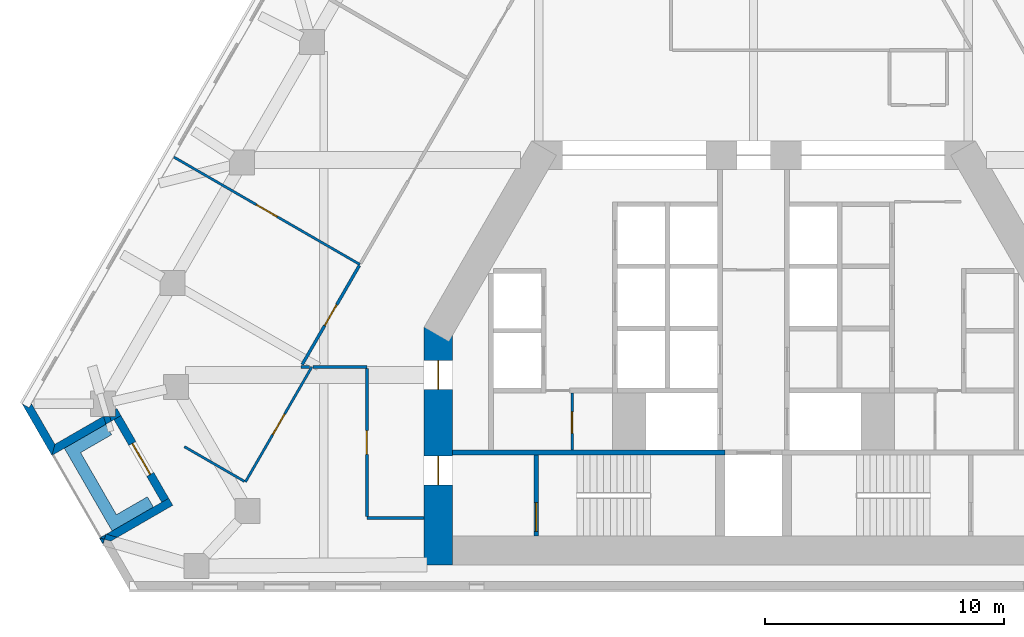
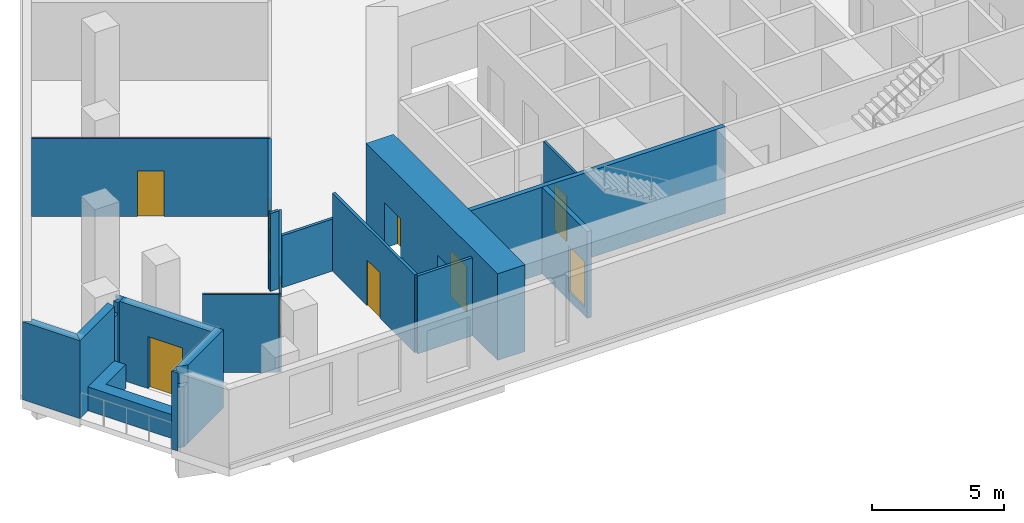
# One storey, part 3 of 9: 22 walls, 9 doors, 9 openings.
"""IFC4 building model written with IfcOpenShell, lengths in metres."""

from ifc_helpers import new_model, si_unit, direction, frame, frame_2d, origin, place, context, subcontext, project, spatial, polyline, rectangle, outline, extrude, material, layer, layer_set, type_object, element, fill, save


model = new_model("IFC4")

# Units and contexts
model_context = context("Model", 3, precision=1e-05, world=origin(), true_north=direction((0.0, 1.0)))
body_context = subcontext(model_context, "Body", "Model", "MODEL_VIEW")
ifc_project = project(units=[si_unit("LENGTHUNIT", "METRE"), si_unit("AREAUNIT", "SQUARE_METRE"), si_unit("VOLUMEUNIT", "CUBIC_METRE"), si_unit("PLANEANGLEUNIT", "RADIAN"), si_unit("MASSUNIT", "GRAM", prefix="KILO")], contexts=[model_context])

# Site, building, storey
site_placement = place(None, origin())
site = spatial("IfcSite", under=ifc_project, at=site_placement, CompositionType="ELEMENT")
building_placement = place(site_placement, origin())
building = spatial("IfcBuilding", under=site, at=building_placement, Name="Fogline Exchange Tower", CompositionType="ELEMENT")
storey_placement = place(building_placement, frame((0.0, 0.0, 104.10009765625)))
storey = spatial("IfcBuildingStorey", under=building, at=storey_placement, Name="L22", CompositionType="ELEMENT", Elevation=104.10009765625)

# Wall, opening, door
ifc_material_1 = material(Name="Blockwork partition", Category="masonry")
ifc_layer_1 = layer(ifc_material_1, 0.10009765625)
ifc_layer_set_1 = layer_set([ifc_layer_1], Name="CW10")
wall_type_1 = type_object("IfcWallType", Name="CW10", PredefinedType="PARTITIONING", material=ifc_layer_set_1)
wall_1_placement = place(storey_placement, frame((-7.60009765625, 5.85009765625, 0.0), z_axis=(0.0, 0.0, 1.0), x_axis=(0.0, 1.0, 0.0)))
wall_1 = element("IfcWall", 1, at=wall_1_placement, inside=storey, type_object=wall_type_1, Name="WC partition", PredefinedType="PARTITIONING", context=body_context, shape_type="SweptSolid", body=[
    extrude(rectangle(XDim=2.39990234375, YDim=0.10009765625, at=frame_2d((1.199951171875, 0.0))), origin(), (0.0, 0.0, 1.0), 3.599853515625),
])
opening_1_placement = place(wall_1_placement, frame((0.699951171875, 0.0, 0.0)))
opening_1 = element("IfcOpeningElement", 2, at=opening_1_placement, cuts=wall_1, Name="Opening T06-C008", PredefinedType="OPENING", context=body_context, shape_type="SweptSolid", body=[
    extrude(rectangle(XDim=0.89990234375, YDim=2.10009765625, at=frame_2d((0.449951171875, 1.050048828125))), frame((0.0, 0.06005859375, 0.0), z_axis=(0.0, -1.0, 0.0), x_axis=(1.0, 0.0, 0.0)), (0.0, 0.0, 1.0), 0.1201171875),
])
ifc_material_2 = material(Name="Steel and timber fire door", Category="steel")
door_type_1 = type_object("IfcDoorType", Name="D-CS1", OperationType="SINGLE_SWING_RIGHT", PredefinedType="DOOR", material=ifc_material_2)
door_1_placement = place(opening_1_placement, frame((0.89990234375, 0.0, 0.0), z_axis=(0.0, 0.0, 1.0), x_axis=(-1.0, 0.0, 0.0)))
door_1 = element("IfcDoor", 3, at=door_1_placement, inside=storey, type_object=door_type_1, Name="Door to Cleaner's Store", OperationType="SINGLE_SWING_RIGHT", OverallHeight=2.10009765625, OverallWidth=0.89990234375, PredefinedType="DOOR", context=body_context, shape_type="SweptSolid", body=[
    extrude(rectangle(XDim=0.89990234375, YDim=2.10009765625, at=frame_2d((0.449951171875, 1.050048828125))), frame((0.0, 0.02490234375, 0.0), z_axis=(0.0, -1.0, 0.0), x_axis=(1.0, 0.0, 0.0)), (0.0, 0.0, 1.0), 0.050048828125),
])
fill(opening_1, door_1)

# Wall
ifc_material_3 = material(Name="Concrete C40", Category="concrete")
ifc_layer_2 = layer(ifc_material_3, 0.199951171875)
ifc_layer_set_2 = layer_set([ifc_layer_2], Name="CW20R")
wall_type_2 = type_object("IfcWallType", Name="CW20R", PredefinedType="SOLIDWALL", material=ifc_layer_set_2)
wall_2_placement = place(storey_placement, frame((-12.60009765625, 5.75, -0.400146484375), z_axis=(0.0, 0.0, 1.0), x_axis=(1.0, 0.0, 0.0)))
element("IfcWall", 4, at=wall_2_placement, inside=storey, type_object=wall_type_2, Name="Stair enclosure wall", PredefinedType="SOLIDWALL", context=body_context, shape_type="SweptSolid", body=[
    extrude(rectangle(XDim=11.400146484375, YDim=0.199951171875, at=frame_2d((5.7001953125, 0.0))), origin(), (0.0, 0.0, 1.0), 4.0),
])

# Wall, opening, door
wall_3_placement = place(storey_placement, frame((-9.10009765625, 2.25, -0.400146484375), z_axis=(0.0, 0.0, 1.0), x_axis=(0.0, 1.0, 0.0)))
wall_3 = element("IfcWall", 5, at=wall_3_placement, inside=storey, type_object=wall_type_2, Name="Stair enclosure wall", PredefinedType="SOLIDWALL", context=body_context, shape_type="SweptSolid", body=[
    extrude(rectangle(XDim=3.39990234375, YDim=0.199951171875, at=frame_2d((1.699951171875, 0.0))), origin(), (0.0, 0.0, 1.0), 4.0),
])
opening_2_placement = place(wall_3_placement, frame((0.199951171875, 0.0, 0.39990234375)))
opening_2 = element("IfcOpeningElement", 6, at=opening_2_placement, cuts=wall_3, Name="Opening T06-C010", PredefinedType="OPENING", context=body_context, shape_type="SweptSolid", body=[
    extrude(rectangle(XDim=1.199951171875, YDim=2.10009765625, at=frame_2d((0.60009765625, 1.050048828125))), frame((0.0, 0.10986328125, 0.0), z_axis=(0.0, -1.0, 0.0), x_axis=(1.0, 0.0, 0.0)), (0.0, 0.0, 1.0), 0.219970703125),
])
door_type_2 = type_object("IfcDoorType", Name="D-ST1", OperationType="SINGLE_SWING_LEFT", PredefinedType="DOOR", material=ifc_material_2)
door_2_placement = place(opening_2_placement, frame((1.199951171875, 0.0, 0.0), z_axis=(0.0, 0.0, 1.0), x_axis=(-1.0, 0.0, 0.0)))
door_2 = element("IfcDoor", 7, at=door_2_placement, inside=storey, type_object=door_type_2, Name="Stair door ST1", OperationType="SINGLE_SWING_RIGHT", OverallHeight=2.10009765625, OverallWidth=1.199951171875, PredefinedType="DOOR", context=body_context, shape_type="SweptSolid", body=[
    extrude(rectangle(XDim=1.199951171875, YDim=2.10009765625, at=frame_2d((0.60009765625, 1.050048828125))), frame((0.0, 0.02490234375, 0.0), z_axis=(0.0, -1.0, 0.0), x_axis=(1.0, 0.0, 0.0)), (0.0, 0.0, 1.0), 0.050048828125),
])
fill(opening_2, door_2)

# Walls
ifc_material_4 = material(Name="Brick masonry", Category="masonry")
ifc_layer_3 = layer(ifc_material_4, 0.340087890625)
ifc_layer_set_3 = layer_set([ifc_layer_3], Name="FW1")
wall_type_3 = type_object("IfcWallType", Name="FW1", PredefinedType="SOLIDWALL", material=ifc_layer_set_3)
wall_4_placement = place(storey_placement, origin())
element("IfcWall", 8, at=wall_4_placement, inside=storey, type_object=wall_type_3, Name="Brick wall L22 SW-c1", PredefinedType="SOLIDWALL", context=body_context, shape_type="SweptSolid", body=[
    extrude(outline(polyline([(-29.387939453125, 5.6279296875), (-30.63916015625, 7.794921875), (-30.638671875, 7.79541015625), (-30.34375, 7.625), (-30.245361328125, 7.79541015625), (-29.262939453125, 6.09375), (-29.3876953125, 5.6279296875), (-29.387939453125, 5.6279296875)])), origin(), (0.0, 0.0, 1.0), 3.599853515625),
])
wall_5_placement = place(storey_placement, origin())
element("IfcWall", 9, at=wall_5_placement, inside=storey, type_object=wall_type_3, Name="Brick wall L22 SW-s1", PredefinedType="SOLIDWALL", context=body_context, shape_type="SweptSolid", body=[
    extrude(outline(polyline([(-26.966064453125, 7.269287109375), (-26.90576171875, 7.0615234375), (-27.128662109375, 6.932861328125), (-27.2265625, 7.269287109375), (-26.966064453125, 7.269287109375)])), origin(), (0.0, 0.0, 1.0), 3.099853515625),
])
wall_6_placement = place(storey_placement, origin())
element("IfcWall", 10, at=wall_6_placement, inside=storey, type_object=wall_type_3, Name="Brick wall L22 SW-s1", PredefinedType="SOLIDWALL", context=body_context, shape_type="SweptSolid", body=[
    extrude(outline(polyline([(-27.2265625, 7.269287109375), (-27.128662109375, 6.932861328125), (-29.388671875, 5.628173828125), (-29.388916015625, 5.62841796875), (-29.26416015625, 6.093994140625), (-27.228515625, 7.269287109375), (-27.2265625, 7.269287109375)])), origin(), (0.0, 0.0, 1.0), 3.599853515625),
])
wall_7_placement = place(storey_placement, origin())
element("IfcWall", 11, at=wall_7_placement, inside=storey, type_object=wall_type_3, Name="Brick wall L22 SW-s1", PredefinedType="SOLIDWALL", context=body_context, shape_type="SweptSolid", body=[
    extrude(outline(polyline([(-26.72412109375, 7.269287109375), (-26.72412109375, 7.560546875), (-26.665283203125, 7.594482421875), (-26.49462890625, 7.298828125), (-26.78955078125, 7.128662109375), (-26.90576171875, 7.0615234375), (-26.966064453125, 7.269287109375), (-26.72412109375, 7.269287109375)])), origin(), (0.0, 0.0, 1.0), 3.599853515625),
])

# Wall, opening, door
wall_8_placement = place(storey_placement, frame((-26.642822265625, 7.214111328125, 0.0), z_axis=(0.0, 0.0, 1.0), x_axis=(0.49999894854, -0.866026010844, 0.0)))
wall_8 = element("IfcWall", 12, at=wall_8_placement, inside=storey, type_object=wall_type_3, Name="Brick wall L22 SW-bk", PredefinedType="SOLIDWALL", context=body_context, shape_type="SweptSolid", body=[
    extrude(rectangle(XDim=4.0, YDim=0.340087890625, at=frame_2d((2.0, 0.0))), origin(), (0.0, 0.0, 1.0), 3.599853515625),
])
opening_3_placement = place(wall_8_placement, frame((1.25, 0.0, 0.0)))
opening_3 = element("IfcOpeningElement", 13, at=opening_3_placement, cuts=wall_8, Name="Opening T06-E021", PredefinedType="OPENING", context=body_context, shape_type="SweptSolid", body=[
    extrude(rectangle(XDim=1.5, YDim=2.39990234375, at=frame_2d((0.75, 1.199951171875))), frame((0.0, 0.18017578125, 0.0), z_axis=(0.0, -1.0, 0.0), x_axis=(1.0, 0.0, 0.0)), (0.0, 0.0, 1.0), 0.360107421875),
])
ifc_material_5 = material(Name="Aluminium and glass", Category="aluminium")
door_type_3 = type_object("IfcDoorType", Name="ED4", OperationType="SINGLE_SWING_LEFT", PredefinedType="DOOR", material=ifc_material_5)
door_3_placement = place(opening_3_placement, frame((1.5, 0.0, 0.0), z_axis=(0.0, 0.0, 1.0), x_axis=(-1.0, 0.0, 0.0)))
door_3 = element("IfcDoor", 14, at=door_3_placement, inside=storey, type_object=door_type_3, Name="Balcony door L22 SW", OperationType="DOUBLE_DOOR_SINGLE_SWING", OverallHeight=2.39990234375, OverallWidth=1.5, PredefinedType="DOOR", context=body_context, shape_type="SweptSolid", body=[
    extrude(rectangle(XDim=1.5, YDim=2.39990234375, at=frame_2d((0.75, 1.199951171875))), frame((0.0, 0.02490234375, 0.0), z_axis=(0.0, -1.0, 0.0), x_axis=(1.0, 0.0, 0.0)), (0.0, 0.0, 1.0), 0.050048828125),
])
fill(opening_3, door_3)

# Walls
wall_9_placement = place(storey_placement, origin())
element("IfcWall", 15, at=wall_9_placement, inside=storey, type_object=wall_type_3, Name="Brick wall L22 SW-s2", PredefinedType="SOLIDWALL", context=body_context, shape_type="SweptSolid", body=[
    extrude(outline(polyline([(-27.10400390625, 2.32958984375), (-26.646240234375, 2.199951171875), (-26.923583984375, 2.0400390625), (-27.1943359375, 2.112548828125), (-27.138427734375, 2.309814453125), (-27.10400390625, 2.32958984375)])), origin(), (0.0, 0.0, 1.0), 2.7998046875),
])
wall_10_placement = place(storey_placement, origin())
element("IfcWall", 16, at=wall_10_placement, inside=storey, type_object=wall_type_3, Name="Brick wall L22 SW-s2", PredefinedType="SOLIDWALL", context=body_context, shape_type="SweptSolid", body=[
    extrude(outline(polyline([(-27.138427734375, 2.309814453125), (-27.1943359375, 2.112548828125), (-27.38916015625, 2.164794921875), (-27.38916015625, 2.1650390625), (-27.138427734375, 2.309814453125)])), origin(), (0.0, 0.0, 1.0), 3.599853515625),
])
wall_11_placement = place(storey_placement, origin())
element("IfcWall", 17, at=wall_11_placement, inside=storey, type_object=wall_type_3, Name="Brick wall L22 SW-s2", PredefinedType="SOLIDWALL", context=body_context, shape_type="SweptSolid", body=[
    extrude(outline(polyline([(-24.790283203125, 3.66552734375), (-24.495361328125, 3.8359375), (-24.32470703125, 3.540283203125), (-26.646240234375, 2.199951171875), (-27.10400390625, 2.32958984375), (-24.790283203125, 3.66552734375)])), origin(), (0.0, 0.0, 1.0), 3.599853515625),
])
wall_12_placement = place(storey_placement, origin())
element("IfcWall", 18, at=wall_12_placement, inside=storey, type_object=wall_type_3, Name="Brick wall L22 SW-c2", PredefinedType="SOLIDWALL", context=body_context, shape_type="SweptSolid", body=[
    extrude(outline(polyline([(-27.38916015625, 2.165771484375), (-27.388916015625, 2.166015625), (-27.194091796875, 2.11376953125), (-27.248291015625, 1.921875), (-27.38916015625, 2.165771484375)])), origin(), (0.0, 0.0, 1.0), 3.599853515625),
])
ifc_material_6 = material(Name="Concrete C30", Category="concrete")
ifc_layer_4 = layer(ifc_material_6, 0.199951171875)
ifc_layer_set_4 = layer_set([ifc_layer_4], Name="PL1")
wall_type_4 = type_object("IfcWallType", Name="PL1", PredefinedType="USERDEFINED", material=ifc_layer_set_4)
wall_13_placement = place(storey_placement, origin())
element("IfcWall", 19, at=wall_13_placement, inside=storey, type_object=wall_type_4, Name="PLANTER balcony L22 SW", ObjectType="PLANTER", PredefinedType="USERDEFINED", context=body_context, shape_type="SweptSolid", body=[
    extrude(outline(polyline([(-25.386474609375, 3.898193359375), (-26.685302734375, 3.148193359375), (-28.185302734375, 5.74609375), (-26.886474609375, 6.49609375), (-27.136474609375, 6.92919921875), (-28.868408203125, 5.92919921875), (-26.868408203125, 2.465087890625), (-26.435302734375, 2.715087890625), (-26.435302734375, 2.715087890625), (-25.136474609375, 3.465087890625), (-25.386474609375, 3.898193359375)])), origin(), (0.0, 0.0, 1.0), 1.099853515625),
])

# Wall, opening, door
ifc_material_7 = material(Name="Plasterboard partition, 2 layers each side on steel studs", Category="steel")
ifc_layer_5 = layer(ifc_material_7, 0.10009765625)
ifc_layer_set_5 = layer_set([ifc_layer_5], Name="PW1")
wall_type_5 = type_object("IfcWallType", Name="PW1", PredefinedType="PARTITIONING", material=ifc_layer_set_5)
wall_14_placement = place(storey_placement, frame((-16.486083984375, 13.626220703125, 0.0), z_axis=(0.0, 0.0, 1.0), x_axis=(-0.866024315419, 0.5000018851, 0.0)))
wall_14 = element("IfcWall", 20, at=wall_14_placement, inside=storey, type_object=wall_type_5, Name="wall-L22-W041", PredefinedType="PARTITIONING", context=body_context, shape_type="SweptSolid", body=[
    extrude(rectangle(XDim=9.0, YDim=0.10009765625, at=frame_2d((4.5, 0.0))), origin(), (0.0, 0.0, 1.0), 3.599853515625),
])
opening_4_placement = place(wall_14_placement, frame((4.0, 0.0, 0.0)))
opening_4 = element("IfcOpeningElement", 21, at=opening_4_placement, cuts=wall_14, Name="Opening T06-D017", PredefinedType="OPENING", context=body_context, shape_type="SweptSolid", body=[
    extrude(rectangle(XDim=1.0, YDim=2.10009765625, at=frame_2d((0.5, 1.050048828125))), frame((0.0, 0.06005859375, 0.0), z_axis=(0.0, -1.0, 0.0), x_axis=(1.0, 0.0, 0.0)), (0.0, 0.0, 1.0), 0.1201171875),
])
ifc_material_8 = material(Name="Timber door leaf with steel frame", Category="steel")
door_type_4 = type_object("IfcDoorType", Name="D1", OperationType="SINGLE_SWING_LEFT", PredefinedType="DOOR", material=ifc_material_8)
door_4_placement = place(opening_4_placement, frame((1.0, 0.0, 0.0), z_axis=(0.0, 0.0, 1.0), x_axis=(-1.0, 0.0, 0.0)))
door_4 = element("IfcDoor", 22, at=door_4_placement, inside=storey, type_object=door_type_4, Name="door-L22-D017", OperationType="SINGLE_SWING_RIGHT", OverallHeight=2.10009765625, OverallWidth=1.0, PredefinedType="DOOR", context=body_context, shape_type="SweptSolid", body=[
    extrude(rectangle(XDim=1.0, YDim=2.10009765625, at=frame_2d((0.5, 1.050048828125))), frame((0.0, 0.02490234375, 0.0), z_axis=(0.0, -1.0, 0.0), x_axis=(1.0, 0.0, 0.0)), (0.0, 0.0, 1.0), 0.050048828125),
])
fill(opening_4, door_4)

wall_15_placement = place(storey_placement, frame((-18.498779296875, 9.340087890625, 0.0), z_axis=(0.0, 0.0, 1.0), x_axis=(-0.500007201891, -0.866021245731, 0.0)))
wall_15 = element("IfcWall", 23, at=wall_15_placement, inside=storey, type_object=wall_type_5, Name="wall-L22-W042", PredefinedType="PARTITIONING", context=body_context, shape_type="SweptSolid", body=[
    extrude(rectangle(XDim=5.56640625, YDim=0.10009765625, at=frame_2d((2.783203125, 0.0))), origin(), (0.0, 0.0, 1.0), 3.599853515625),
])
opening_5_placement = place(wall_15_placement, frame((2.283203125, 0.0, 0.0)))
opening_5 = element("IfcOpeningElement", 24, at=opening_5_placement, cuts=wall_15, Name="Opening T06-D018", PredefinedType="OPENING", context=body_context, shape_type="SweptSolid", body=[
    extrude(rectangle(XDim=1.0, YDim=2.10009765625, at=frame_2d((0.5, 1.050048828125))), frame((0.0, 0.06005859375, 0.0), z_axis=(0.0, -1.0, 0.0), x_axis=(1.0, 0.0, 0.0)), (0.0, 0.0, 1.0), 0.1201171875),
])
door_5_placement = place(opening_5_placement, origin())
door_5 = element("IfcDoor", 25, at=door_5_placement, inside=storey, type_object=door_type_4, Name="door-L22-D018", OperationType="SINGLE_SWING_LEFT", OverallHeight=2.10009765625, OverallWidth=1.0, PredefinedType="DOOR", context=body_context, shape_type="SweptSolid", body=[
    extrude(rectangle(XDim=1.0, YDim=2.10009765625, at=frame_2d((0.5, 1.050048828125))), frame((0.0, 0.02490234375, 0.0), z_axis=(0.0, -1.0, 0.0), x_axis=(1.0, 0.0, 0.0)), (0.0, 0.0, 1.0), 0.050048828125),
])
fill(opening_5, door_5)

# Walls
wall_16_placement = place(storey_placement, frame((-21.3251953125, 4.54443359375, 0.0), z_axis=(0.0, 0.0, 1.0), x_axis=(-0.866038412228, 0.499977468037, 0.0)))
element("IfcWall", 26, at=wall_16_placement, inside=storey, type_object=wall_type_5, Name="wall-L22-W043", PredefinedType="PARTITIONING", context=body_context, shape_type="SweptSolid", body=[
    extrude(rectangle(XDim=2.900634765625, YDim=0.10009765625, at=frame_2d((1.4501953125, 0.0))), origin(), (0.0, 0.0, 1.0), 3.599853515625),
])
ifc_material_9 = material(Name="Plasterboard corridor partition with mineral wool, 2 layers each side")
ifc_layer_6 = layer(ifc_material_9, 0.125)
ifc_layer_set_6 = layer_set([ifc_layer_6], Name="PW2")
wall_type_6 = type_object("IfcWallType", Name="PW2", PredefinedType="PARTITIONING", material=ifc_layer_set_6)
wall_17_placement = place(storey_placement, frame((-13.800048828125, 3.0, 0.0), z_axis=(0.0, 0.0, 1.0), x_axis=(-1.0, 0.0, 0.0)))
element("IfcWall", 27, at=wall_17_placement, inside=storey, type_object=wall_type_6, Name="wall-L22-W008", PredefinedType="PARTITIONING", context=body_context, shape_type="SweptSolid", body=[
    extrude(rectangle(XDim=2.39990234375, YDim=0.125, at=frame_2d((1.199951171875, 0.0))), origin(), (0.0, 0.0, 1.0), 3.599853515625),
])

# Wall, opening, door
wall_18_placement = place(storey_placement, frame((-16.199951171875, 3.0625, 0.0), z_axis=(0.0, 0.0, 1.0), x_axis=(0.0, 1.0, 0.0)))
wall_18 = element("IfcWall", 28, at=wall_18_placement, inside=storey, type_object=wall_type_6, Name="wall-L22-W009", PredefinedType="PARTITIONING", context=body_context, shape_type="SweptSolid", body=[
    extrude(rectangle(XDim=6.215087890625, YDim=0.125, at=frame_2d((3.107421875, 0.0))), origin(), (0.0, 0.0, 1.0), 3.599853515625),
])
opening_6_placement = place(wall_18_placement, frame((2.607421875, 0.0, 0.0)))
opening_6 = element("IfcOpeningElement", 29, at=opening_6_placement, cuts=wall_18, Name="Opening T06-D003", PredefinedType="OPENING", context=body_context, shape_type="SweptSolid", body=[
    extrude(rectangle(XDim=1.0, YDim=2.10009765625, at=frame_2d((0.5, 1.050048828125))), frame((0.0, 0.072509765625, 0.0), z_axis=(0.0, -1.0, 0.0), x_axis=(1.0, 0.0, 0.0)), (0.0, 0.0, 1.0), 0.14501953125),
])
ifc_material_10 = material(Name="Fire-rated timber door leaf with steel frame", Category="steel")
door_type_5 = type_object("IfcDoorType", Name="D3", OperationType="SINGLE_SWING_LEFT", PredefinedType="DOOR", material=ifc_material_10)
door_6_placement = place(opening_6_placement, origin())
door_6 = element("IfcDoor", 30, at=door_6_placement, inside=storey, type_object=door_type_5, Name="door-L22-D003", OperationType="SINGLE_SWING_LEFT", OverallHeight=2.10009765625, OverallWidth=1.0, PredefinedType="DOOR", context=body_context, shape_type="SweptSolid", body=[
    extrude(rectangle(XDim=1.0, YDim=2.10009765625, at=frame_2d((0.5, 1.050048828125))), frame((0.0, 0.02490234375, 0.0), z_axis=(0.0, -1.0, 0.0), x_axis=(1.0, 0.0, 0.0)), (0.0, 0.0, 1.0), 0.050048828125),
])
fill(opening_6, door_6)

# Wall
wall_19_placement = place(storey_placement, frame((-18.593017578125, 9.340087890625, 0.0), z_axis=(0.0, 0.0, 1.0), x_axis=(-1.0, 0.0, 0.0)))
element("IfcWall", 31, at=wall_19_placement, inside=storey, type_object=wall_type_6, Name="wall-L22-W014", PredefinedType="PARTITIONING", context=body_context, shape_type="SweptSolid", body=[
    extrude(rectangle(XDim=0.36767578125, YDim=0.125, at=frame_2d((0.183837890625, 0.0))), origin(), (0.0, 0.0, 1.0), 3.599853515625),
])

# Wall, opening, door
wall_20_placement = place(storey_placement, frame((-18.90625, 9.43408203125, 0.0), z_axis=(0.0, 0.0, 1.0), x_axis=(0.499948937441, 0.86605488276, 0.0)))
wall_20 = element("IfcWall", 32, at=wall_20_placement, inside=storey, type_object=wall_type_6, Name="wall-L22-W015", PredefinedType="PARTITIONING", context=body_context, shape_type="SweptSolid", body=[
    extrude(rectangle(XDim=4.7900390625, YDim=0.125, at=frame_2d((2.39501953125, 0.0))), origin(), (0.0, 0.0, 1.0), 3.599853515625),
])
opening_7_placement = place(wall_20_placement, frame((1.89501953125, 0.0, 0.0)))
opening_7 = element("IfcOpeningElement", 33, at=opening_7_placement, cuts=wall_20, Name="Opening T06-D007", PredefinedType="OPENING", context=body_context, shape_type="SweptSolid", body=[
    extrude(rectangle(XDim=1.0, YDim=2.10009765625, at=frame_2d((0.5, 1.050048828125))), frame((0.0, 0.072509765625, 0.0), z_axis=(0.0, -1.0, 0.0), x_axis=(1.0, 0.0, 0.0)), (0.0, 0.0, 1.0), 0.14501953125),
])
door_7_placement = place(opening_7_placement, origin())
door_7 = element("IfcDoor", 34, at=door_7_placement, inside=storey, type_object=door_type_5, Name="door-L22-D007", OperationType="SINGLE_SWING_RIGHT", OverallHeight=2.10009765625, OverallWidth=1.0, PredefinedType="DOOR", context=body_context, shape_type="SweptSolid", body=[
    extrude(rectangle(XDim=1.0, YDim=2.10009765625, at=frame_2d((0.5, 1.050048828125))), frame((0.0, 0.02490234375, 0.0), z_axis=(0.0, -1.0, 0.0), x_axis=(1.0, 0.0, 0.0)), (0.0, 0.0, 1.0), 0.050048828125),
])
fill(opening_7, door_7)

# Wall
wall_21_placement = place(storey_placement, frame((-16.199951171875, 9.340087890625, 0.0), z_axis=(0.0, 0.0, 1.0), x_axis=(-1.0, 0.0, 0.0)))
element("IfcWall", 35, at=wall_21_placement, inside=storey, type_object=wall_type_6, Name="wall-L22-W016", PredefinedType="PARTITIONING", context=body_context, shape_type="SweptSolid", body=[
    extrude(rectangle(XDim=2.255126953125, YDim=0.125, at=frame_2d((1.12744140625, 0.0))), origin(), (0.0, 0.0, 1.0), 2.39990234375),
])

# Wall, openings, doors
ifc_material_11 = material(Name="Concrete C60", Category="concrete")
ifc_layer_7 = layer(ifc_material_11, 1.199951171875)
ifc_layer_set_7 = layer_set([ifc_layer_7], Name="SW02")
wall_type_7 = type_object("IfcWallType", Name="SW02", PredefinedType="SHEAR", material=ifc_layer_set_7)
wall_22_placement = place(storey_placement, frame((-13.199951171875, 10.9990234375, 0.0), z_axis=(0.0, 0.0, 1.0), x_axis=(0.0, -1.0, 0.0)))
wall_22 = element("IfcWall", 36, at=wall_22_placement, inside=storey, type_object=wall_type_7, Name="L22-W906", PredefinedType="SHEAR", context=body_context, shape_type="SweptSolid", body=[
    extrude(rectangle(XDim=9.948974609375, YDim=1.199951171875, at=frame_2d((4.974609375, 0.0))), origin(), (0.0, 0.0, 1.0), 4.0),
])
opening_8_placement = place(wall_22_placement, frame((5.39892578125, 0.0, 0.0)))
opening_8 = element("IfcOpeningElement", 37, at=opening_8_placement, cuts=wall_22, Name="Opening T06-C009", PredefinedType="OPENING", context=body_context, shape_type="SweptSolid", body=[
    extrude(rectangle(XDim=1.199951171875, YDim=2.10009765625, at=frame_2d((0.60009765625, 1.050048828125))), frame((0.0, 0.60986328125, 0.0), z_axis=(0.0, -1.0, 0.0), x_axis=(1.0, 0.0, 0.0)), (0.0, 0.0, 1.0), 1.219970703125),
])
opening_9_placement = place(wall_22_placement, frame((1.39892578125, 0.0, 0.0)))
opening_9 = element("IfcOpeningElement", 38, at=opening_9_placement, cuts=wall_22, Name="Opening T06-C011", PredefinedType="OPENING", context=body_context, shape_type="SweptSolid", body=[
    extrude(rectangle(XDim=1.199951171875, YDim=2.10009765625, at=frame_2d((0.60009765625, 1.050048828125))), frame((0.0, 0.60986328125, 0.0), z_axis=(0.0, -1.0, 0.0), x_axis=(1.0, 0.0, 0.0)), (0.0, 0.0, 1.0), 1.219970703125),
])
door_type_6 = type_object("IfcDoorType", Name="D-FR1", OperationType="SINGLE_SWING_RIGHT", PredefinedType="DOOR", material=ifc_material_2)
door_8_placement = place(opening_8_placement, origin())
door_8 = element("IfcDoor", 39, at=door_8_placement, inside=storey, type_object=door_type_6, Name="Front room door ST1", OperationType="SINGLE_SWING_LEFT", OverallHeight=2.10009765625, OverallWidth=1.199951171875, PredefinedType="DOOR", context=body_context, shape_type="SweptSolid", body=[
    extrude(rectangle(XDim=1.199951171875, YDim=2.10009765625, at=frame_2d((0.60009765625, 1.050048828125))), frame((0.0, 0.02490234375, 0.0), z_axis=(0.0, -1.0, 0.0), x_axis=(1.0, 0.0, 0.0)), (0.0, 0.0, 1.0), 0.050048828125),
])
fill(opening_8, door_8)
door_type_7 = type_object("IfcDoorType", Name="D-SV1", OperationType="SINGLE_SWING_LEFT", PredefinedType="DOOR", material=ifc_material_2)
door_9_placement = place(opening_9_placement, origin())
door_9 = element("IfcDoor", 40, at=door_9_placement, inside=storey, type_object=door_type_7, Name="Service door W", OperationType="SINGLE_SWING_LEFT", OverallHeight=2.10009765625, OverallWidth=1.199951171875, PredefinedType="DOOR", context=body_context, shape_type="SweptSolid", body=[
    extrude(rectangle(XDim=1.199951171875, YDim=2.10009765625, at=frame_2d((0.60009765625, 1.050048828125))), frame((0.0, 0.02490234375, 0.0), z_axis=(0.0, -1.0, 0.0), x_axis=(1.0, 0.0, 0.0)), (0.0, 0.0, 1.0), 0.050048828125),
])
fill(opening_9, door_9)

save(model, "model.ifc")
